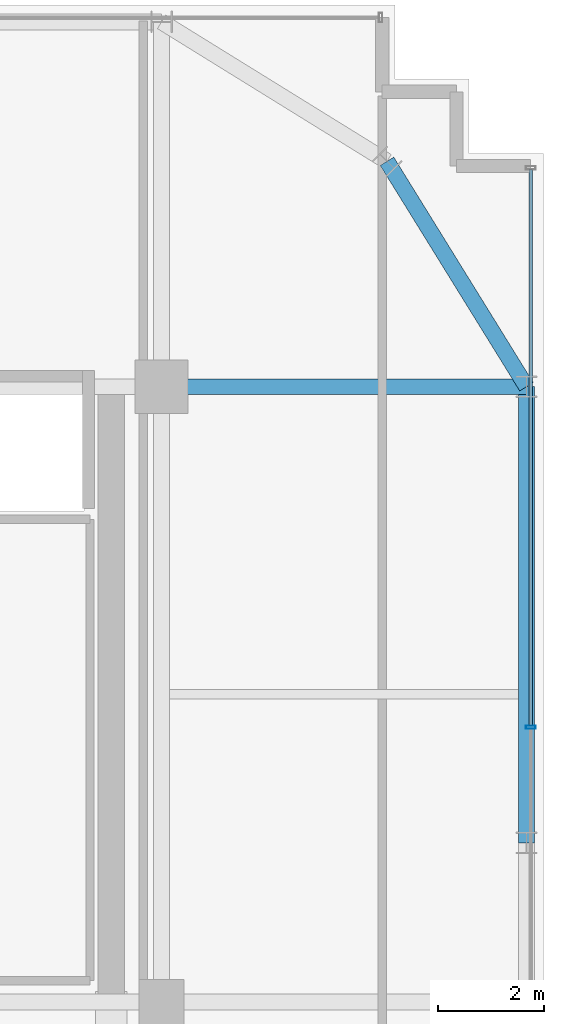
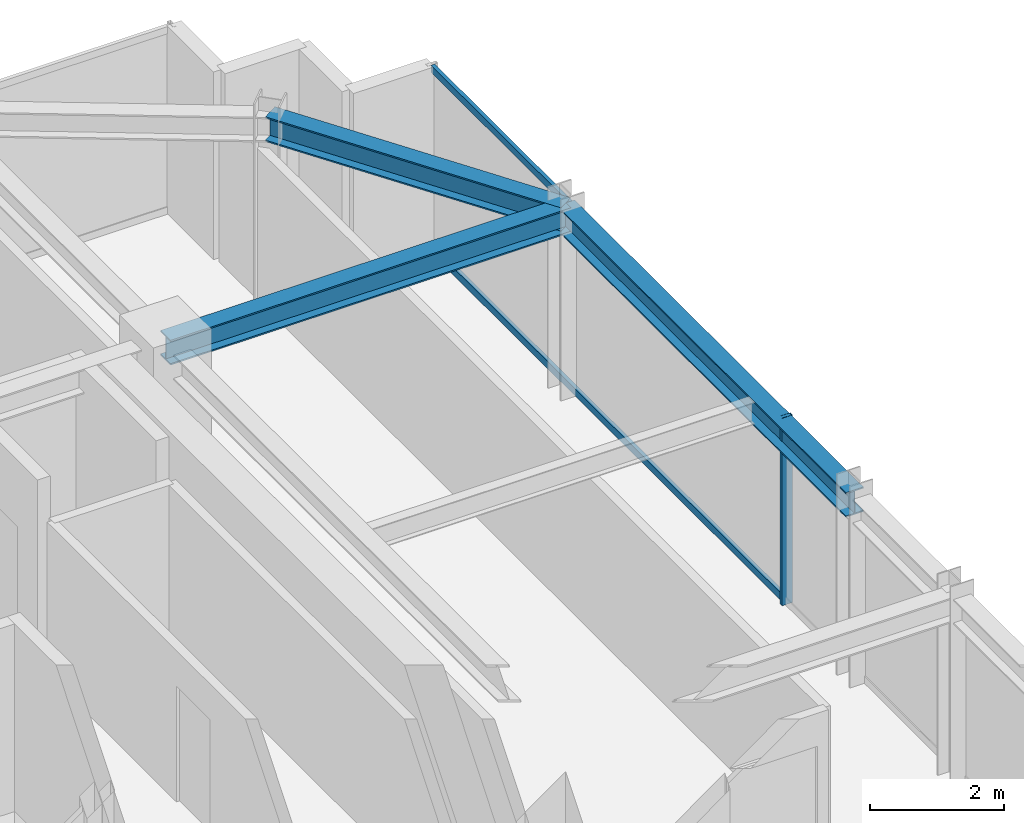
# One storey, part 24 of 35: 3 beams, 3 members, 1 element without a shape of its own.
"""IFC4 building model written with IfcOpenShell, lengths in metres."""

from ifc_helpers import new_model, si_unit, direction, frame, origin, origin_2d, place, context, subcontext, project, spatial, hollow_rectangle, i_section, extrude, source, transform, mapped, material, material_profile, profile_set, type_object, element, aggregate, save


model = new_model("IFC4")

# Units and contexts
model_context = context("Model", 3, precision=1e-05, world=origin(), true_north=direction((0.0, 1.0)))
body_context = subcontext(model_context, "Body", "Model", "MODEL_VIEW")
ifc_project = project(units=[si_unit("LENGTHUNIT", "METRE"), si_unit("AREAUNIT", "SQUARE_METRE"), si_unit("VOLUMEUNIT", "CUBIC_METRE"), si_unit("PLANEANGLEUNIT", "RADIAN"), si_unit("MASSUNIT", "GRAM", prefix="KILO")], contexts=[model_context])

# Site, building, storey
site_placement = place(None, origin())
site = spatial("IfcSite", under=ifc_project, at=site_placement, CompositionType="ELEMENT")
building_placement = place(site_placement, origin())
building = spatial("IfcBuilding", under=site, at=building_placement, Name="Nahalor Promenade Grand Hotel", CompositionType="ELEMENT")
storey_placement = place(building_placement, frame((0.0, 0.0, 216.0)))
storey = spatial("IfcBuildingStorey", under=building, at=storey_placement, Name="L55", CompositionType="ELEMENT", Elevation=216.0)

# Beams
ifc_material_1 = material(Name="Steel S355JR", Category="steel")
ifc_material_profile_1 = material_profile(ifc_material_1, i_section(OverallWidth=0.3, OverallDepth=0.45, WebThickness=0.014, FlangeThickness=0.026, at=origin_2d()), Name="HEB 450")
ifc_profile_set_1 = profile_set([ifc_material_profile_1], Name="Steel S355JR")
beam_type_1 = type_object("IfcBeamType", Name="Beam-Spandrel-HEB450", PredefinedType="SPANDREL", material=ifc_profile_set_1)
shared_shape_1 = source(origin(), body_context, "Body", "SweptSolid", [
    extrude(i_section(OverallWidth=0.3, OverallDepth=0.45, WebThickness=0.014, FlangeThickness=0.026, at=origin_2d()), origin(), (0.0, 0.0, 1.0), 8.60009765625),
])
beam_1_placement = place(storey_placement, frame((23.8798828125, 8.39990234375, 3.18505859375), z_axis=(0.0, 1.0, 0.0), x_axis=(-1.0, 0.0, 0.0)))
element("IfcBeam", 1, at=beam_1_placement, inside=storey, type_object=beam_type_1, Name="BM-L55-SP-E-4", PredefinedType="SPANDREL", context=body_context, shape_type="MappedRepresentation", body=[
    mapped(shared_shape_1, transform((0.0, 0.0, 0.0), scale=1.0)),
])
shared_shape_2 = source(origin(), body_context, "Body", "SweptSolid", [
    extrude(i_section(OverallWidth=0.3, OverallDepth=0.45, WebThickness=0.014, FlangeThickness=0.026, at=origin_2d()), origin(), (0.0, 0.0, 1.0), 4.997802734375),
])
beam_2_placement = place(storey_placement, frame((21.25, 21.25, 3.18505859375), z_axis=(0.526199891161, -0.850360908404, 0.0), x_axis=(0.850360908404, 0.526199891161, 0.0)))
element("IfcBeam", 2, at=beam_2_placement, inside=storey, type_object=beam_type_1, Name="BM-L55-SPC-NE-2", PredefinedType="SPANDREL", context=body_context, shape_type="MappedRepresentation", body=[
    mapped(shared_shape_2, transform((0.0, 0.0, 0.0), scale=1.0)),
])
ifc_material_profile_2 = material_profile(ifc_material_1, i_section(OverallWidth=0.3, OverallDepth=0.45, WebThickness=0.014, FlangeThickness=0.026, at=origin_2d()), Name="HEB 450")
ifc_profile_set_2 = profile_set([ifc_material_profile_2], Name="Steel S355JR")
beam_type_2 = type_object("IfcBeamType", Name="Beam-Girder-HEB450", PredefinedType="BEAM", material=ifc_profile_set_2)
shared_shape_3 = source(origin(), body_context, "Body", "SweptSolid", [
    extrude(i_section(OverallWidth=0.3, OverallDepth=0.45, WebThickness=0.014, FlangeThickness=0.026, at=origin_2d()), origin(), (0.0, 0.0, 1.0), 6.8798828125),
])
beam_3_placement = place(storey_placement, frame((17.0, 17.0, 3.18505859375), z_axis=(1.0, 0.0, 0.0), x_axis=(0.0, 1.0, 0.0)))
element("IfcBeam", 3, at=beam_3_placement, inside=storey, type_object=beam_type_2, Name="BM-L55-GX-3-6", PredefinedType="BEAM", context=body_context, shape_type="MappedRepresentation", body=[
    mapped(shared_shape_3, transform((0.0, 0.0, 0.0), scale=1.0)),
])

# Curtain wall, members
ifc_material_2 = material(Name="Anodised Bronze Aluminium EN AW-6063 T6", Category="aluminium")
curtain_wall_type = type_object("IfcCurtainWallType", Name="CW2 Typical Hotel Flush Bronze Unitised Curtain Wall", PredefinedType="USERDEFINED", material=ifc_material_2)
curtain_wall_placement = place(storey_placement, origin())
curtain_wall = element("IfcCurtainWall", 4, at=curtain_wall_placement, inside=storey, type_object=curtain_wall_type, Name="L55 Curtain Wall CW-L55-E-1", ObjectType="UNITISED_CURTAIN_WALL", PredefinedType="USERDEFINED")
ifc_material_profile_3 = material_profile(ifc_material_2, hollow_rectangle(XDim=0.065, YDim=0.13, WallThickness=0.004, at=origin_2d()), Name="CWT 65x130x4")
ifc_profile_set_3 = profile_set([ifc_material_profile_3], Name="Anodised Bronze Aluminium EN AW-6063 T6")
member_type_1 = type_object("IfcMemberType", Name="CWT2 Typical Bronze Transom 65x130", PredefinedType="USERDEFINED", material=ifc_profile_set_3)
shared_shape_4 = source(origin(), body_context, "Body", "SweptSolid", [
    extrude(hollow_rectangle(XDim=0.065, YDim=0.13, WallThickness=0.004, at=origin_2d()), origin(), (0.0, 0.0, 1.0), 10.482421875),
])
member_1_placement = place(storey_placement, frame((23.9599609375, 10.612548828125, 0.06494140625), z_axis=(0.0, 1.0, 0.0), x_axis=(-1.0, 0.0, 0.0)))
member_1 = element("IfcMember", 5, at=member_1_placement, type_object=member_type_1, Name="CW-L55-E-1 Transom 3-0", ObjectType="TRANSOM", PredefinedType="USERDEFINED", context=body_context, shape_type="MappedRepresentation", body=[
    mapped(shared_shape_4, transform((0.0, 0.0, 0.0), scale=1.0)),
])
member_2_placement = place(storey_placement, frame((23.9599609375, 10.612548828125, 3.344970703125), z_axis=(0.0, 1.0, 0.0), x_axis=(-1.0, 0.0, 0.0)))
member_2 = element("IfcMember", 6, at=member_2_placement, type_object=member_type_1, Name="CW-L55-E-1 Transom 3-1", ObjectType="TRANSOM", PredefinedType="USERDEFINED", context=body_context, shape_type="MappedRepresentation", body=[
    mapped(shared_shape_4, transform((0.0, 0.0, 0.0), scale=1.0)),
])
ifc_material_profile_4 = material_profile(ifc_material_2, hollow_rectangle(XDim=0.065, YDim=0.18, WallThickness=0.004, at=origin_2d()), Name="CWM 65x180x4")
ifc_profile_set_4 = profile_set([ifc_material_profile_4], Name="Anodised Bronze Aluminium EN AW-6063 T6")
member_type_2 = type_object("IfcMemberType", Name="CWM2 Typical Bronze Mullion 65x180", PredefinedType="MULLION", material=ifc_profile_set_4)
shared_shape_5 = source(origin(), body_context, "Body", "SweptSolid", [
    extrude(hollow_rectangle(XDim=0.065, YDim=0.18, WallThickness=0.004, at=origin_2d()), origin(), (0.0, 0.0, 1.0), 3.409912109375),
])
member_3_placement = place(storey_placement, frame((23.9599609375, 10.580078125, 0.0), z_axis=(0.0, 0.0, 1.0), x_axis=(0.0, 1.0, 0.0)))
member_3 = element("IfcMember", 7, at=member_3_placement, type_object=member_type_2, Name="CW-L55-E-1 Mullion 3", PredefinedType="MULLION", context=body_context, shape_type="MappedRepresentation", body=[
    mapped(shared_shape_5, transform((0.0, 0.0, 0.0), scale=1.0)),
])
aggregate(curtain_wall, [member_3, member_1, member_2])

save(model, "model.ifc")
